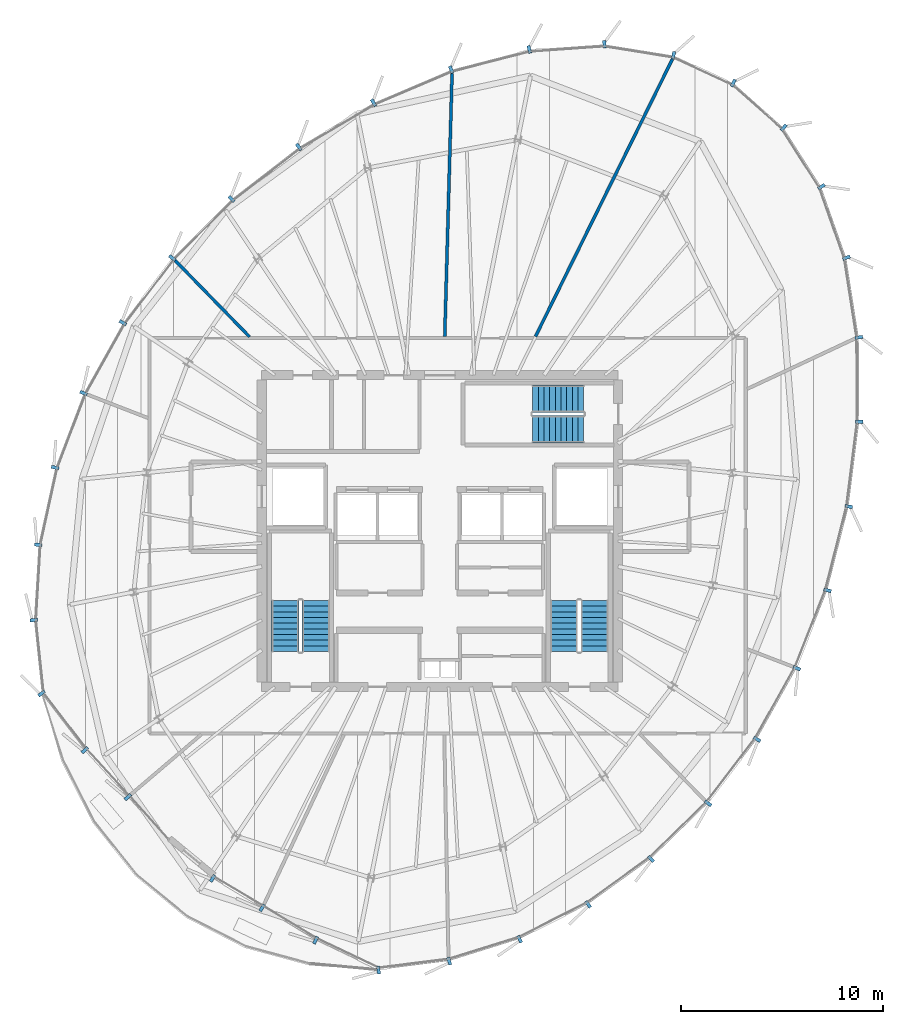
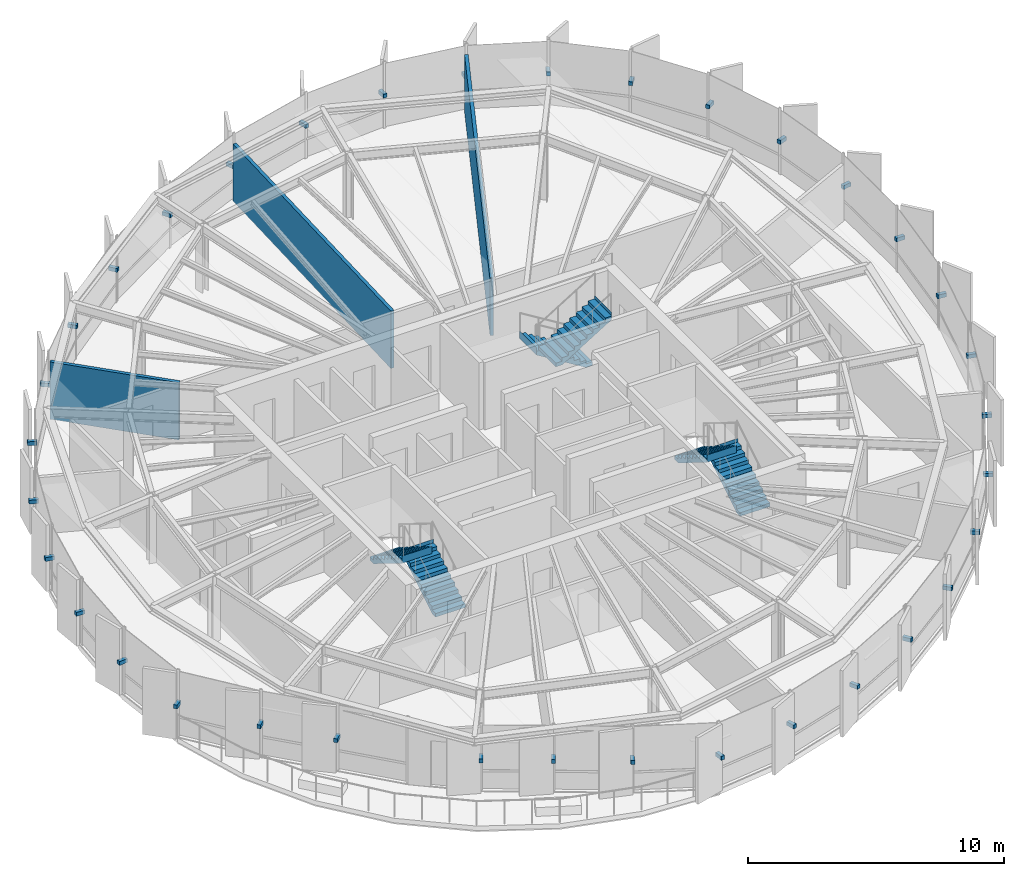
# One storey, part 29 of 34: 35 discrete accessories, 6 stair flights, 3 walls, 3 elements without a shape of their own.
"""IFC4 building model written with IfcOpenShell, lengths in metres."""

from ifc_helpers import new_model, si_unit, direction, frame, frame_2d, origin, origin_2d, place, context, subcontext, project, spatial, polyline, rectangle, outline, extrude, source, transform, mapped, material, layer, layer_set, type_object, element, aggregate, save


model = new_model("IFC4")

# Units and contexts
model_context = context("Model", 3, precision=1e-05, world=origin(), true_north=direction((0.0, 1.0)))
body_context = subcontext(model_context, "Body", "Model", "MODEL_VIEW")
ifc_project = project(units=[si_unit("LENGTHUNIT", "METRE"), si_unit("AREAUNIT", "SQUARE_METRE"), si_unit("VOLUMEUNIT", "CUBIC_METRE"), si_unit("PLANEANGLEUNIT", "RADIAN"), si_unit("MASSUNIT", "GRAM", prefix="KILO"), si_unit("THERMODYNAMICTEMPERATUREUNIT", "KELVIN")], contexts=[model_context])

# Site, building, storey
site_placement = place(None, origin())
site = spatial("IfcSite", under=ifc_project, at=site_placement, CompositionType="ELEMENT")
building_placement = place(site_placement, origin())
building = spatial("IfcBuilding", under=site, at=building_placement, Name="Kethvar Cultural Tower", CompositionType="ELEMENT")
storey_placement = place(building_placement, frame((0.0, 0.0, 262.89990234375)))
storey = spatial("IfcBuildingStorey", under=building, at=storey_placement, Name="L69", CompositionType="ELEMENT", Elevation=262.89990234375)

# Walls
ifc_material_1 = material(Name="Gypsum Acoustic Partition")
ifc_layer = layer(ifc_material_1, 0.14990234375, Name="Gypsum Acoustic Partition")
ifc_layer_set = layer_set([ifc_layer], Name="Gypsum Acoustic Partition (150 mm)")
wall_type = type_object("IfcWallType", Name="WL-PART-150", PredefinedType="PARTITIONING", material=ifc_layer_set)
wall_1_placement = place(storey_placement, frame((51.51708984375, 37.402587890625, 0.0), z_axis=(0.0, 0.0, 1.0), x_axis=(0.442592509331, 0.896722850542, 0.0)))
element("IfcWall", 1, at=wall_1_placement, inside=storey, type_object=wall_type, Name="L69 Radial Partition Wall 07", PredefinedType="PARTITIONING", context=body_context, shape_type="SweptSolid", body=[
    extrude(rectangle(XDim=15.277587890625, YDim=0.14990234375, at=frame_2d((7.638671875, 0.0))), origin(), (0.0, 0.0, 1.0), 2.735107421875),
])
wall_2_placement = place(storey_placement, frame((47.037353515625, 37.410888671875, 0.0), z_axis=(0.0, 0.0, 1.0), x_axis=(0.027816104328, 0.999613057308, 0.0)))
element("IfcWall", 2, at=wall_2_placement, inside=storey, type_object=wall_type, Name="L69 Radial Partition Wall 08", PredefinedType="PARTITIONING", context=body_context, shape_type="SweptSolid", body=[
    extrude(rectangle(XDim=12.989990234375, YDim=0.14990234375, at=frame_2d((6.4951171875, 0.0))), origin(), (0.0, 0.0, 1.0), 2.735107421875),
])
wall_3_placement = place(storey_placement, frame((37.402099609375, 37.38818359375, 0.0), z_axis=(0.0, 0.0, 1.0), x_axis=(-0.698109660125, 0.715990853601, 0.0)))
element("IfcWall", 3, at=wall_3_placement, inside=storey, type_object=wall_type, Name="L69 Radial Partition Wall 09", PredefinedType="PARTITIONING", context=body_context, shape_type="SweptSolid", body=[
    extrude(rectangle(XDim=5.256591796875, YDim=0.14990234375, at=frame_2d((2.62841796875, 0.0))), origin(), (0.0, 0.0, 1.0), 2.735107421875),
])

# Stair, stair flights
ifc_material_2 = material(Name="Concrete C40/50", Category="concrete")
stair_type = type_object("IfcStairType", Name="ST-DOGLEG-135", PredefinedType="HALF_TURN_STAIR", material=ifc_material_2)
stair_1_placement = place(storey_placement, origin())
stair_1 = element("IfcStair", 4, at=stair_1_placement, inside=storey, type_object=stair_type, Name="L69 Core Exit Stair 1", PredefinedType="HALF_TURN_STAIR")
stair_flight_type = type_object("IfcStairFlightType", Name="FL-STRAIGHT-135", PredefinedType="STRAIGHT", material=ifc_material_2)
stair_flight_1_placement = place(storey_placement, frame((40.675048828125, 21.85009765625, 0.0), z_axis=(0.0, 0.0, 1.0), x_axis=(0.0, 1.0, 0.0)))
stair_flight_1 = element("IfcStairFlight", 5, at=stair_flight_1_placement, type_object=stair_flight_type, Name="ST-01 flight 1", NumberOfRisers=10, NumberOfTreads=9, PredefinedType="STRAIGHT", RiserHeight=0.1725, TreadLength=0.28, context=body_context, shape_type="SweptSolid", body=[
    extrude(outline(polyline([(-0.0009765625, -0.0009765625), (-0.0009765625, 0.172607421875), (0.280029296875, 0.172607421875), (0.280029296875, 0.344970703125), (0.56005859375, 0.344970703125), (0.56005859375, 0.517578125), (0.840087890625, 0.517578125), (0.840087890625, 0.68994140625), (1.1201171875, 0.68994140625), (1.1201171875, 0.862548828125), (1.39990234375, 0.862548828125), (1.39990234375, 1.034912109375), (1.679931640625, 1.034912109375), (1.679931640625, 1.20751953125), (1.9599609375, 1.20751953125), (1.9599609375, 1.3798828125), (2.239990234375, 1.3798828125), (2.239990234375, 1.552490234375), (2.52001953125, 1.552490234375), (2.52001953125, 1.72509765625), (2.52099609375, 1.72509765625), (2.52099609375, 1.37646484375), (0.285888671875, 0.0), (0.0, -0.0009765625), (-0.0009765625, -0.0009765625)])), frame((0.0, 0.675048828125, 0.0), z_axis=(0.0, -1.0, 0.0), x_axis=(1.0, 0.0, 0.0)), (0.0, 0.0, 1.0), 1.35009765625),
])
stair_flight_2_placement = place(storey_placement, frame((39.1650390625, 24.3701171875, 1.72509765625), z_axis=(0.0, 0.0, 1.0), x_axis=(0.0, -1.0, 0.0)))
stair_flight_2 = element("IfcStairFlight", 6, at=stair_flight_2_placement, type_object=stair_flight_type, Name="ST-01 flight 2", NumberOfRisers=10, NumberOfTreads=9, PredefinedType="STRAIGHT", RiserHeight=0.1725, TreadLength=0.28, context=body_context, shape_type="SweptSolid", body=[
    extrude(outline(polyline([(-0.0009765625, -0.0009765625), (-0.0009765625, 0.172607421875), (0.280029296875, 0.172607421875), (0.280029296875, 0.344970703125), (0.56005859375, 0.344970703125), (0.56005859375, 0.517578125), (0.840087890625, 0.517578125), (0.840087890625, 0.68994140625), (1.1201171875, 0.68994140625), (1.1201171875, 0.862548828125), (1.39990234375, 0.862548828125), (1.39990234375, 1.034912109375), (1.679931640625, 1.034912109375), (1.679931640625, 1.20751953125), (1.9599609375, 1.20751953125), (1.9599609375, 1.3798828125), (2.239990234375, 1.3798828125), (2.239990234375, 1.552490234375), (2.52001953125, 1.552490234375), (2.52001953125, 1.72509765625), (2.52099609375, 1.72509765625), (2.52099609375, 1.37646484375), (0.285888671875, 0.0), (0.0, -0.0009765625), (-0.0009765625, -0.0009765625)])), frame((0.0, 0.675048828125, 0.0), z_axis=(0.0, -1.0, 0.0), x_axis=(1.0, 0.0, 0.0)), (0.0, 0.0, 1.0), 1.35009765625),
])
aggregate(stair_1, [stair_flight_1, stair_flight_2])

stair_2_placement = place(storey_placement, origin())
stair_2 = element("IfcStair", 7, at=stair_2_placement, inside=storey, type_object=stair_type, Name="L69 Core Exit Stair 2", PredefinedType="HALF_TURN_STAIR")
stair_flight_3_placement = place(storey_placement, frame((54.43505859375, 21.85009765625, 0.0), z_axis=(0.0, 0.0, 1.0), x_axis=(0.0, 1.0, 0.0)))
stair_flight_3 = element("IfcStairFlight", 8, at=stair_flight_3_placement, type_object=stair_flight_type, Name="ST-02 flight 1", NumberOfRisers=10, NumberOfTreads=9, PredefinedType="STRAIGHT", RiserHeight=0.1725, TreadLength=0.28, context=body_context, shape_type="SweptSolid", body=[
    extrude(outline(polyline([(-0.0009765625, -0.0009765625), (-0.0009765625, 0.172607421875), (0.280029296875, 0.172607421875), (0.280029296875, 0.344970703125), (0.56005859375, 0.344970703125), (0.56005859375, 0.517578125), (0.840087890625, 0.517578125), (0.840087890625, 0.68994140625), (1.1201171875, 0.68994140625), (1.1201171875, 0.862548828125), (1.39990234375, 0.862548828125), (1.39990234375, 1.034912109375), (1.679931640625, 1.034912109375), (1.679931640625, 1.20751953125), (1.9599609375, 1.20751953125), (1.9599609375, 1.3798828125), (2.239990234375, 1.3798828125), (2.239990234375, 1.552490234375), (2.52001953125, 1.552490234375), (2.52001953125, 1.72509765625), (2.52099609375, 1.72509765625), (2.52099609375, 1.37646484375), (0.285888671875, 0.0), (0.0, -0.0009765625), (-0.0009765625, -0.0009765625)])), frame((0.0, 0.675048828125, 0.0), z_axis=(0.0, -1.0, 0.0), x_axis=(1.0, 0.0, 0.0)), (0.0, 0.0, 1.0), 1.35009765625),
])
stair_flight_4_placement = place(storey_placement, frame((52.925048828125, 24.3701171875, 1.72509765625), z_axis=(0.0, 0.0, 1.0), x_axis=(0.0, -1.0, 0.0)))
stair_flight_4 = element("IfcStairFlight", 9, at=stair_flight_4_placement, type_object=stair_flight_type, Name="ST-02 flight 2", NumberOfRisers=10, NumberOfTreads=9, PredefinedType="STRAIGHT", RiserHeight=0.1725, TreadLength=0.28, context=body_context, shape_type="SweptSolid", body=[
    extrude(outline(polyline([(-0.0009765625, -0.0009765625), (-0.0009765625, 0.172607421875), (0.280029296875, 0.172607421875), (0.280029296875, 0.344970703125), (0.56005859375, 0.344970703125), (0.56005859375, 0.517578125), (0.840087890625, 0.517578125), (0.840087890625, 0.68994140625), (1.1201171875, 0.68994140625), (1.1201171875, 0.862548828125), (1.39990234375, 0.862548828125), (1.39990234375, 1.034912109375), (1.679931640625, 1.034912109375), (1.679931640625, 1.20751953125), (1.9599609375, 1.20751953125), (1.9599609375, 1.3798828125), (2.239990234375, 1.3798828125), (2.239990234375, 1.552490234375), (2.52001953125, 1.552490234375), (2.52001953125, 1.72509765625), (2.52099609375, 1.72509765625), (2.52099609375, 1.37646484375), (0.285888671875, 0.0), (0.0, -0.0009765625), (-0.0009765625, -0.0009765625)])), frame((0.0, 0.675048828125, 0.0), z_axis=(0.0, -1.0, 0.0), x_axis=(1.0, 0.0, 0.0)), (0.0, 0.0, 1.0), 1.35009765625),
])
aggregate(stair_2, [stair_flight_3, stair_flight_4])

stair_3_placement = place(storey_placement, origin())
stair_3 = element("IfcStair", 10, at=stair_3_placement, inside=storey, type_object=stair_type, Name="L69 Core Exit Stair 3", PredefinedType="HALF_TURN_STAIR")
stair_flight_5_placement = place(storey_placement, frame((53.89990234375, 34.3349609375, 0.0), z_axis=(0.0, 0.0, 1.0), x_axis=(-1.0, 0.0, 0.0)))
stair_flight_5 = element("IfcStairFlight", 11, at=stair_flight_5_placement, type_object=stair_flight_type, Name="ST-03 flight 1", NumberOfRisers=10, NumberOfTreads=9, PredefinedType="STRAIGHT", RiserHeight=0.1725, TreadLength=0.28, context=body_context, shape_type="SweptSolid", body=[
    extrude(outline(polyline([(-0.0009765625, -0.0009765625), (-0.0009765625, 0.172607421875), (0.280029296875, 0.172607421875), (0.280029296875, 0.344970703125), (0.56005859375, 0.344970703125), (0.56005859375, 0.517578125), (0.840087890625, 0.517578125), (0.840087890625, 0.68994140625), (1.1201171875, 0.68994140625), (1.1201171875, 0.862548828125), (1.39990234375, 0.862548828125), (1.39990234375, 1.034912109375), (1.679931640625, 1.034912109375), (1.679931640625, 1.20751953125), (1.9599609375, 1.20751953125), (1.9599609375, 1.3798828125), (2.239990234375, 1.3798828125), (2.239990234375, 1.552490234375), (2.52001953125, 1.552490234375), (2.52001953125, 1.72509765625), (2.52099609375, 1.72509765625), (2.52099609375, 1.37646484375), (0.285888671875, 0.0), (0.0, -0.0009765625), (-0.0009765625, -0.0009765625)])), frame((0.0, 0.675048828125, 0.0), z_axis=(0.0, -1.0, 0.0), x_axis=(1.0, 0.0, 0.0)), (0.0, 0.0, 1.0), 1.35009765625),
])
stair_flight_6_placement = place(storey_placement, frame((51.3798828125, 32.824951171875, 1.72509765625), z_axis=(0.0, 0.0, 1.0), x_axis=(1.0, 0.0, 0.0)))
stair_flight_6 = element("IfcStairFlight", 12, at=stair_flight_6_placement, type_object=stair_flight_type, Name="ST-03 flight 2", NumberOfRisers=10, NumberOfTreads=9, PredefinedType="STRAIGHT", RiserHeight=0.1725, TreadLength=0.28, context=body_context, shape_type="SweptSolid", body=[
    extrude(outline(polyline([(-0.0009765625, -0.0009765625), (-0.0009765625, 0.172607421875), (0.280029296875, 0.172607421875), (0.280029296875, 0.344970703125), (0.56005859375, 0.344970703125), (0.56005859375, 0.517578125), (0.840087890625, 0.517578125), (0.840087890625, 0.68994140625), (1.1201171875, 0.68994140625), (1.1201171875, 0.862548828125), (1.39990234375, 0.862548828125), (1.39990234375, 1.034912109375), (1.679931640625, 1.034912109375), (1.679931640625, 1.20751953125), (1.9599609375, 1.20751953125), (1.9599609375, 1.3798828125), (2.239990234375, 1.3798828125), (2.239990234375, 1.552490234375), (2.52001953125, 1.552490234375), (2.52001953125, 1.72509765625), (2.52099609375, 1.72509765625), (2.52099609375, 1.37646484375), (0.285888671875, 0.0), (0.0, -0.0009765625), (-0.0009765625, -0.0009765625)])), frame((0.0, 0.675048828125, 0.0), z_axis=(0.0, -1.0, 0.0), x_axis=(1.0, 0.0, 0.0)), (0.0, 0.0, 1.0), 1.35009765625),
])
aggregate(stair_3, [stair_flight_5, stair_flight_6])

# Discrete accessories
ifc_material_3 = material(Name="Steel S355J2", Category="steel")
discrete_accessory_type = type_object("IfcDiscreteAccessoryType", Name="Steel Fin Bracket BRK-01", PredefinedType="BRACKET", material=ifc_material_3)
shared_shape = source(origin(), body_context, "Body", "SweptSolid", [
    extrude(rectangle(XDim=0.3798828125, YDim=0.159912109375, at=origin_2d()), origin(), (0.0, 0.0, 1.0), 0.179931640625),
])
for number, where, z_axis, x_axis, name in (
    (13, (61.28857421875, 49.923583984375, 1.51513671875), (0.0, 0.0, 1.0), (0.420402474635, 0.907337731675, 0.0), "L69 Terracotta Fin Bracket 1.1"),
    (14, (58.3359375, 51.29150390625, 1.51513671875), (0.0, 0.0, 1.0), (0.159019688023, 0.987275411839, 0.0), "L69 Terracotta Fin Bracket 1.2"),
    (15, (54.922607421875, 51.8408203125, 1.51513671875), (0.0, 0.0, 1.0), (-0.069408253958, 0.997588339087, 0.0), "L69 Terracotta Fin Bracket 1.3"),
    (16, (51.212158203125, 51.5830078125, 1.51513671875), (0.0, 0.0, 1.0), (-0.250211026602, 0.968191325187, 0.0), "L69 Terracotta Fin Bracket 1.4"),
    (17, (47.35791015625, 50.5869140625, 1.51513671875), (0.0, 0.0, 1.0), (-0.392016014434, 0.919958392769, 0.0), "L69 Terracotta Fin Bracket 1.5"),
    (18, (43.521728515625, 48.95166015625, 1.51513671875), (0.0, 0.0, 1.0), (-0.508740929096, 0.860919663536, 0.0), "L69 Terracotta Fin Bracket 1.6"),
    (19, (39.831787109375, 46.766357421875, 1.51513671875), (0.0, 0.0, 1.0), (-0.611112672705, 0.791543619303, 0.0), "L69 Terracotta Fin Bracket 2.1"),
    (20, (36.510986328125, 44.20263671875, 1.51513671875), (0.0, 0.0, 1.0), (-0.705995188551, 0.708216629106, 0.0), "L69 Terracotta Fin Bracket 2.2"),
    (21, (33.582275390625, 41.282958984375, 1.51513671875), (0.0, 0.0, 1.0), (-0.794838455235, 0.606821085724, 0.0), "L69 Terracotta Fin Bracket 2.3"),
    (22, (31.14111328125, 38.085205078125, 1.51513671875), (0.0, 0.0, 1.0), (-0.87292207727, 0.487859659139, 0.0), "L69 Terracotta Fin Bracket 2.4"),
    (23, (29.20068359375, 34.612548828125, 1.51513671875), (0.0, 0.0, 1.0), (-0.934142197566, 0.356901043325, 0.0), "L69 Terracotta Fin Bracket 2.5"),
    (24, (27.794921875, 30.93310546875, 1.51513671875), (0.0, 0.0, 1.0), (-0.9767471756, 0.214394391152, 0.0), "L69 Terracotta Fin Bracket 2.6"),
    (25, (26.96435546875, 27.122314453125, 1.51513671875), (0.0, 0.0, 1.0), (-0.998198181003, 0.060003261936, 0.0), "L69 Terracotta Fin Bracket 3.1"),
    (26, (26.740478515625, 23.402587890625, 1.51513671875), (0.0, 0.0, 1.0), (-0.994448678381, -0.105222745001, 0.0), "L69 Terracotta Fin Bracket 3.2"),
    (27, (27.1259765625, 19.777587890625, 1.51513671875), (0.0, 0.0, 1.0), (-0.79473253287, -0.606959801962, 0.0), "L69 Terracotta Fin Bracket 3.3"),
    (28, (29.26220703125, 16.98095703125, 1.51513671875), (0.0, 0.0, 1.0), (-0.736923497556, -0.6759761525, 0.0), "L69 Terracotta Fin Bracket 3.4"),
    (29, (31.389404296875, 14.662109375, 1.51513671875), (0.0, 0.0, 1.0), (-0.744894056592, -0.667182766905, 0.0), "L69 Terracotta Fin Bracket 3.5"),
    (30, (35.575439453125, 10.646484375, 1.51513671875), (0.0, 0.0, 1.0), (-0.511892940289, -0.859049252187, 0.0), "L69 Terracotta Fin Bracket 4.1"),
    (31, (38.017822265625, 9.19140625, 1.51513671875), (0.0, 0.0, 1.0), (-0.517280366086, -0.855815998251, 0.0), "L69 Terracotta Fin Bracket 4.2"),
    (32, (40.66162109375, 7.593505859375, 1.51513671875), (0.0, 0.0, 1.0), (-0.429880868547, -0.902885617815, 0.0), "L69 Terracotta Fin Bracket 4.3"),
    (33, (43.76611328125, 6.116943359375, 1.51513671875), (0.0, 0.0, 1.0), (0.125333233564, -0.992114701314, 0.0), "L69 Terracotta Fin Bracket 4.4"),
    (34, (47.25634765625, 6.55810546875, 1.51513671875), (0.0, 0.0, 1.0), (0.298374534012, -0.954448865814, 0.0), "L69 Terracotta Fin Bracket 4.5"),
    (35, (50.732421875, 7.644775390625, 1.51513671875), (0.0, 0.0, 1.0), (0.451500573218, -0.892270829056, 0.0), "L69 Terracotta Fin Bracket 4.6"),
    (36, (54.117919921875, 9.364501953125, 1.51513671875), (0.0, 0.0, 1.0), (0.584674524674, -0.811267958321, 0.0), "L69 Terracotta Fin Bracket 5.1"),
    (37, (57.22412109375, 11.603271484375, 1.51513671875), (0.0, 0.0, 1.0), (0.698540186739, -0.715570826341, 0.0), "L69 Terracotta Fin Bracket 5.2"),
    (38, (60.042724609375, 14.354736328125, 1.51513671875), (0.0, 0.0, 1.0), (0.794414620535, -0.607375839723, 0.0), "L69 Terracotta Fin Bracket 5.3"),
    (39, (62.458740234375, 17.514892578125, 1.51513671875), (0.0, 0.0, 1.0), (0.872581274278, -0.488468954775, 0.0), "L69 Terracotta Fin Bracket 5.4"),
    (40, (64.424072265625, 21.025390625, 1.51513671875), (0.0, 0.0, 1.0), (0.93035358728, -0.366663609641, 0.0), "L69 Terracotta Fin Bracket 5.5"),
    (41, (65.940185546875, 24.87255859375, 1.51513671875), (0.0, 0.0, 1.0), (0.969144926951, -0.246491603437, 0.0), "L69 Terracotta Fin Bracket 5.6"),
    (42, (66.9873046875, 29.0087890625, 1.51513671875), (0.0, 0.0, 1.0), (0.992158390422, -0.124986912574, 0.0), "L69 Terracotta Fin Bracket 6.1"),
    (43, (67.51416015625, 33.193115234375, 1.51513671875), (0.0, 0.0, 1.0), (0.999985363169, 0.005410494284, 0.0), "L69 Terracotta Fin Bracket 6.2"),
    (44, (67.4912109375, 37.36328125, 1.51513671875), (0.0, 0.0, 1.0), (0.987932848666, 0.154882815468, 0.0), "L69 Terracotta Fin Bracket 6.3"),
    (45, (66.8740234375, 41.29638671875, 1.51513671875), (0.0, 0.0, 1.0), (0.943106654378, 0.33249035846, 0.0), "L69 Terracotta Fin Bracket 6.4"),
    (46, (65.636962890625, 44.80419921875, 1.51513671875), (0.0, 0.0, 1.0), (0.842922242371, 0.538035401546, 0.0), "L69 Terracotta Fin Bracket 6.5"),
    (47, (63.776123046875, 47.718994140625, 1.51513671875), (0.0, 0.0, 1.0), (0.665621202286, 0.746289766155, 0.0), "L69 Terracotta Fin Bracket 6.6"),
):
    element("IfcDiscreteAccessory", number, at=place(storey_placement, frame(where, z_axis=z_axis, x_axis=x_axis)), inside=storey, type_object=discrete_accessory_type, Name=name, PredefinedType="BRACKET", context=body_context, shape_type="MappedRepresentation", body=[
        mapped(shared_shape, transform((0.0, 0.0, 0.0), scale=1.0)),
    ])

save(model, "model.ifc")
